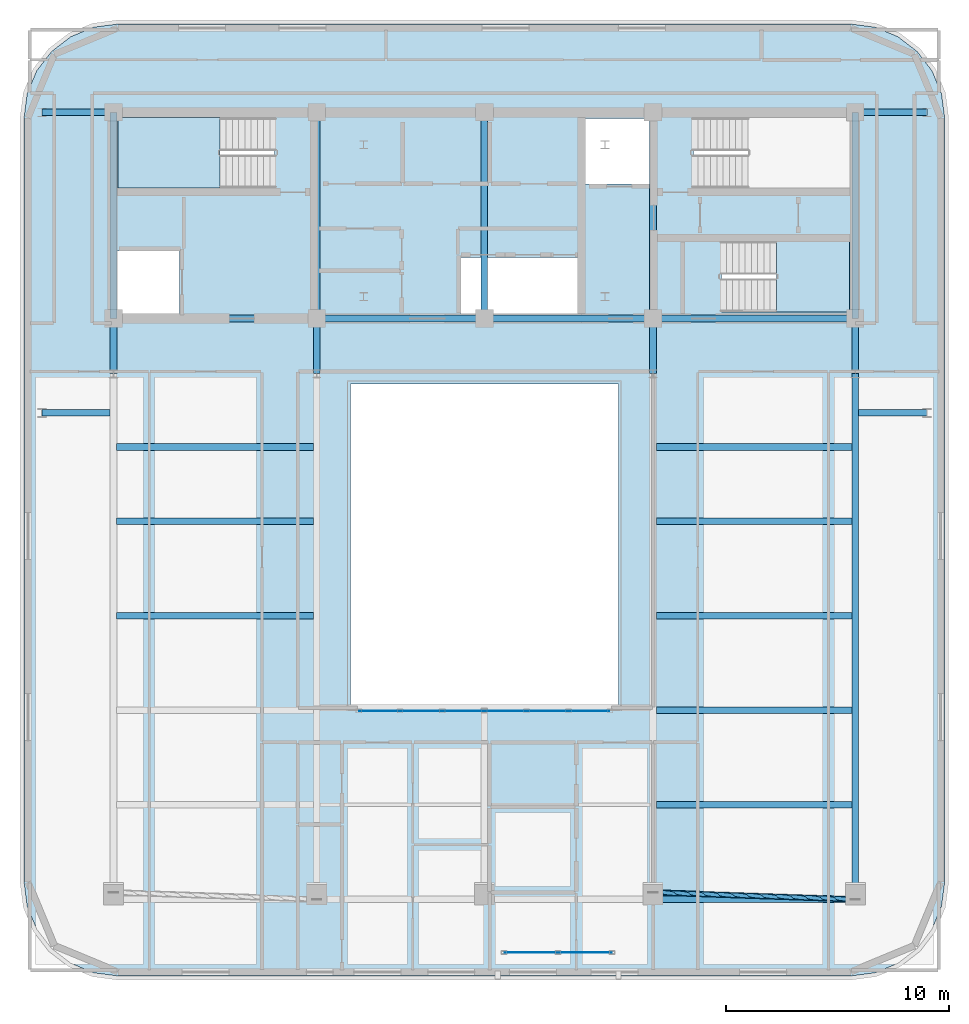
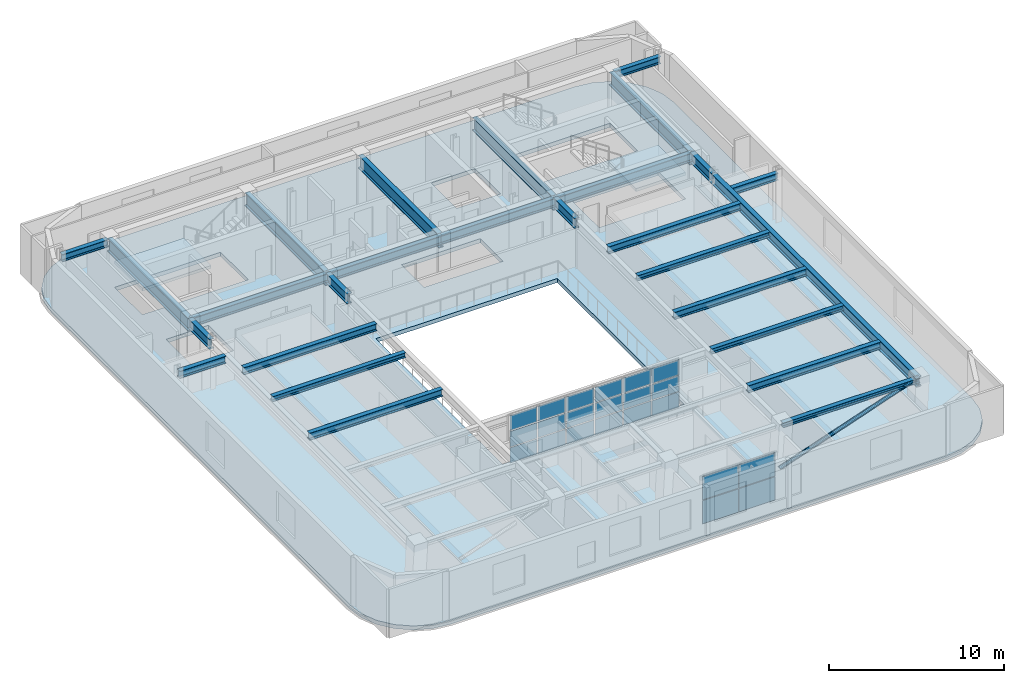
# One storey, part 3 of 12: 27 beams, 22 plates, 3 slabs, 1 member, 4 elements without a shape of their own.
"""IFC4 building model written with IfcOpenShell, lengths in metres."""

from ifc_helpers import new_model, si_unit, direction, frame, origin, origin_2d, place, context, subcontext, project, spatial, polyline, rectangle, hollow_circle, i_section, outline, extrude, material, layer, layer_set, material_profile, profile_set, type_object, element, aggregate, save


model = new_model("IFC4")

# Units and contexts
model_context = context("Model", 3, precision=1e-05, world=origin(), true_north=direction((0.0, 1.0)))
body_context = subcontext(model_context, "Body", "Model", "MODEL_VIEW")
ifc_project = project(units=[si_unit("LENGTHUNIT", "METRE"), si_unit("AREAUNIT", "SQUARE_METRE"), si_unit("VOLUMEUNIT", "CUBIC_METRE"), si_unit("PLANEANGLEUNIT", "RADIAN"), si_unit("MASSUNIT", "GRAM", prefix="KILO")], contexts=[model_context])

# Site, building, storey
site_placement = place(None, origin())
site = spatial("IfcSite", under=ifc_project, at=site_placement, CompositionType="ELEMENT")
building_placement = place(site_placement, origin())
building = spatial("IfcBuilding", under=site, at=building_placement, Name="Zarnavel Station Tower", CompositionType="ELEMENT")
storey_placement = place(building_placement, frame((0.0, 0.0, 265.800048828125)))
storey = spatial("IfcBuildingStorey", under=building, at=storey_placement, Name="L72", CompositionType="ELEMENT", Elevation=265.800048828125)

# Member
ifc_material_1 = material(Name="Steel S355J2", Category="steel")
ifc_material_profile_1 = material_profile(ifc_material_1, hollow_circle(Radius=0.122314453125, WallThickness=0.010009765625, at=origin_2d()), Name="CHS244.5x10")
ifc_profile_set_1 = profile_set([ifc_material_profile_1], Name="Steel S355J2")
member_type = type_object("IfcMemberType", Name="DB_EXT_CHS245", PredefinedType="BRACE", material=ifc_profile_set_1)
member_placement = place(storey_placement, frame((36.35009765625, 2.14111328125, 0.0), z_axis=(0.934954974808, -0.032007603945, 0.353319555603), x_axis=(0.034214336452, 0.999414518196, 0.0)))
element("IfcMember", 1, at=member_placement, inside=storey, type_object=member_type, Name="L72 Persian Exterior Diagonal Frame Brace 2", PredefinedType="BRACE", context=body_context, shape_type="SweptSolid", body=[
    extrude(hollow_circle(Radius=0.122314453125, WallThickness=0.010009765625, at=origin_2d()), origin(), (0.0, 0.0, 1.0), 9.679443359375),
])

# Beams
ifc_material_2 = material(Name="Steel S355J2", Category="steel")
ifc_material_profile_2 = material_profile(ifc_material_2, i_section(OverallWidth=0.300048828125, OverallDepth=0.320068359375, WebThickness=0.011474609375, FlangeThickness=0.0205078125, FilletRadius=0.027099609375, at=origin_2d()), Name="HEB320")
ifc_profile_set_2 = profile_set([ifc_material_profile_2], Name="Steel S355J2")
beam_type_1 = type_object("IfcBeamType", Name="EB_HEB320", PredefinedType="SPANDREL", material=ifc_profile_set_2)
beam_1_placement = place(storey_placement, frame((36.35009765625, 1.831298828125, 3.260009765625), z_axis=(1.0, 0.0, 0.0), x_axis=(0.0, 1.0, 0.0)))
element("IfcBeam", 2, at=beam_1_placement, inside=storey, type_object=beam_type_1, Name="L72 South Raked Spandrel 4", PredefinedType="SPANDREL", context=body_context, shape_type="SweptSolid", body=[
    extrude(i_section(OverallWidth=0.300048828125, OverallDepth=0.320068359375, WebThickness=0.011474609375, FlangeThickness=0.0205078125, FilletRadius=0.027099609375, at=origin_2d()), origin(), (0.0, 0.0, 1.0), 9.0498046875),
])
ifc_material_3 = material(Name="Steel S355J2", Category="steel")
ifc_material_profile_3 = material_profile(ifc_material_3, i_section(OverallWidth=0.300048828125, OverallDepth=0.35009765625, WebThickness=0.010009765625, FlangeThickness=0.017578125, FilletRadius=0.027099609375, at=origin_2d()), Name="HEA360")
ifc_profile_set_3 = profile_set([ifc_material_profile_3], Name="Steel S355J2")
beam_type_2 = type_object("IfcBeamType", Name="FB_HEA360", PredefinedType="BEAM", material=ifc_profile_set_3)
beam_2_placement = place(storey_placement, frame((36.4951171875, 10.28759765625, 3.244873046875), z_axis=(1.0, 0.0, 0.0), x_axis=(0.0, 1.0, 0.0)))
element("IfcBeam", 3, at=beam_2_placement, inside=storey, type_object=beam_type_2, Name="L72 East Bay Beam 2", PredefinedType="BEAM", context=body_context, shape_type="SweptSolid", body=[
    extrude(i_section(OverallWidth=0.300048828125, OverallDepth=0.35009765625, WebThickness=0.010009765625, FlangeThickness=0.017578125, FilletRadius=0.027099609375, at=origin_2d()), origin(), (0.0, 0.0, 1.0), 8.759765625),
])
beam_3_placement = place(storey_placement, frame((12.344970703125, 18.743896484375, 3.244873046875), z_axis=(1.0, 0.0, 0.0), x_axis=(0.0, 1.0, 0.0)))
element("IfcBeam", 4, at=beam_3_placement, inside=storey, type_object=beam_type_2, Name="L72 West Bay Beam 4", PredefinedType="BEAM", context=body_context, shape_type="SweptSolid", body=[
    extrude(i_section(OverallWidth=0.300048828125, OverallDepth=0.35009765625, WebThickness=0.010009765625, FlangeThickness=0.017578125, FilletRadius=0.027099609375, at=origin_2d()), origin(), (0.0, 0.0, 1.0), 8.81005859375),
])
beam_4_placement = place(storey_placement, frame((36.4951171875, 18.743896484375, 3.244873046875), z_axis=(1.0, 0.0, 0.0), x_axis=(0.0, 1.0, 0.0)))
element("IfcBeam", 5, at=beam_4_placement, inside=storey, type_object=beam_type_2, Name="L72 East Bay Beam 4", PredefinedType="BEAM", context=body_context, shape_type="SweptSolid", body=[
    extrude(i_section(OverallWidth=0.300048828125, OverallDepth=0.35009765625, WebThickness=0.010009765625, FlangeThickness=0.017578125, FilletRadius=0.027099609375, at=origin_2d()), origin(), (0.0, 0.0, 1.0), 8.759765625),
])
ifc_material_4 = material(Name="Steel S355J2", Category="steel")
ifc_material_profile_4 = material_profile(ifc_material_4, i_section(OverallWidth=0.300048828125, OverallDepth=0.489990234375, WebThickness=0.011962890625, FlangeThickness=0.02294921875, FilletRadius=0.027099609375, at=origin_2d()), Name="HEA500")
ifc_profile_set_4 = profile_set([ifc_material_profile_4], Name="Steel S355J2")
beam_type_3 = type_object("IfcBeamType", Name="FB_HEA500", PredefinedType="BEAM", material=ifc_profile_set_4)
beam_5_placement = place(storey_placement, frame((36.4951171875, 6.059326171875, 3.175048828125), z_axis=(1.0, 0.0, 0.0), x_axis=(0.0, 1.0, 0.0)))
element("IfcBeam", 6, at=beam_5_placement, inside=storey, type_object=beam_type_3, Name="L72 East Bay Beam 1", PredefinedType="BEAM", context=body_context, shape_type="SweptSolid", body=[
    extrude(i_section(OverallWidth=0.300048828125, OverallDepth=0.489990234375, WebThickness=0.011962890625, FlangeThickness=0.02294921875, FilletRadius=0.027099609375, at=origin_2d()), origin(), (0.0, 0.0, 1.0), 8.759765625),
])
beam_6_placement = place(storey_placement, frame((12.344970703125, 14.515625, 3.175048828125), z_axis=(1.0, 0.0, 0.0), x_axis=(0.0, 1.0, 0.0)))
element("IfcBeam", 7, at=beam_6_placement, inside=storey, type_object=beam_type_3, Name="L72 West Bay Beam 3", PredefinedType="BEAM", context=body_context, shape_type="SweptSolid", body=[
    extrude(i_section(OverallWidth=0.300048828125, OverallDepth=0.489990234375, WebThickness=0.011962890625, FlangeThickness=0.02294921875, FilletRadius=0.027099609375, at=origin_2d()), origin(), (0.0, 0.0, 1.0), 8.81005859375),
])
beam_7_placement = place(storey_placement, frame((36.4951171875, 14.515625, 3.175048828125), z_axis=(1.0, 0.0, 0.0), x_axis=(0.0, 1.0, 0.0)))
element("IfcBeam", 8, at=beam_7_placement, inside=storey, type_object=beam_type_3, Name="L72 East Bay Beam 3", PredefinedType="BEAM", context=body_context, shape_type="SweptSolid", body=[
    extrude(i_section(OverallWidth=0.300048828125, OverallDepth=0.489990234375, WebThickness=0.011962890625, FlangeThickness=0.02294921875, FilletRadius=0.027099609375, at=origin_2d()), origin(), (0.0, 0.0, 1.0), 8.759765625),
])
beam_8_placement = place(storey_placement, frame((12.344970703125, 22.072021484375, 3.175048828125), z_axis=(1.0, 0.0, 0.0), x_axis=(0.0, 1.0, 0.0)))
element("IfcBeam", 9, at=beam_8_placement, inside=storey, type_object=beam_type_3, Name="L72 West Bay Beam 5", PredefinedType="BEAM", context=body_context, shape_type="SweptSolid", body=[
    extrude(i_section(OverallWidth=0.300048828125, OverallDepth=0.489990234375, WebThickness=0.011962890625, FlangeThickness=0.02294921875, FilletRadius=0.027099609375, at=origin_2d()), origin(), (0.0, 0.0, 1.0), 8.81005859375),
])
beam_9_placement = place(storey_placement, frame((36.4951171875, 22.072021484375, 3.175048828125), z_axis=(1.0, 0.0, 0.0), x_axis=(0.0, 1.0, 0.0)))
element("IfcBeam", 10, at=beam_9_placement, inside=storey, type_object=beam_type_3, Name="L72 East Bay Beam 5", PredefinedType="BEAM", context=body_context, shape_type="SweptSolid", body=[
    extrude(i_section(OverallWidth=0.300048828125, OverallDepth=0.489990234375, WebThickness=0.011962890625, FlangeThickness=0.02294921875, FilletRadius=0.027099609375, at=origin_2d()), origin(), (0.0, 0.0, 1.0), 8.759765625),
])
ifc_material_5 = material(Name="Steel S355J2", Category="steel")
ifc_material_profile_5 = material_profile(ifc_material_5, i_section(OverallWidth=0.300048828125, OverallDepth=0.5, WebThickness=0.014404296875, FlangeThickness=0.028076171875, FilletRadius=0.027099609375, at=origin_2d()), Name="HEB500")
ifc_profile_set_5 = profile_set([ifc_material_profile_5], Name="Steel S355J2")
beam_type_4 = type_object("IfcBeamType", Name="FG_HEB500", PredefinedType="USERDEFINED", material=ifc_profile_set_5)
for number, where, z_axis, x_axis, name in (
    (11, (9.0, 23.60009765625, 3.169921875), (1.0, 0.0, 0.0), (0.0, 1.0, 0.0), "L72 West Wing South Tie 1"),
    (12, (9.0, 37.050048828125, 3.169921875), (1.0, 0.0, 0.0), (0.0, 1.0, 0.0), "L72 West Wing North Tie 1"),
):
    element("IfcBeam", number, at=place(storey_placement, frame(where, z_axis=z_axis, x_axis=x_axis)), inside=storey, type_object=beam_type_4, Name=name, ObjectType="GIRDER", PredefinedType="USERDEFINED", context=body_context, shape_type="SweptSolid", body=[
        extrude(i_section(OverallWidth=0.300048828125, OverallDepth=0.5, WebThickness=0.014404296875, FlangeThickness=0.028076171875, FilletRadius=0.027099609375, at=origin_2d()), origin(), (0.0, 0.0, 1.0), 3.054931640625),
    ])
for number, where, z_axis, x_axis, name in (
    (13, (45.544921875, 23.60009765625, 3.169921875), (1.0, 0.0, 0.0), (0.0, 1.0, 0.0), "L72 East Wing South Tie 1"),
    (14, (45.544921875, 37.050048828125, 3.169921875), (1.0, 0.0, 0.0), (0.0, 1.0, 0.0), "L72 East Wing North Tie 1"),
):
    element("IfcBeam", number, at=place(storey_placement, frame(where, z_axis=z_axis, x_axis=x_axis)), inside=storey, type_object=beam_type_4, Name=name, ObjectType="GIRDER", PredefinedType="USERDEFINED", context=body_context, shape_type="SweptSolid", body=[
        extrude(i_section(OverallWidth=0.300048828125, OverallDepth=0.5, WebThickness=0.014404296875, FlangeThickness=0.028076171875, FilletRadius=0.027099609375, at=origin_2d()), origin(), (0.0, 0.0, 1.0), 3.05517578125),
    ])
ifc_material_6 = material(Name="Steel S355J2", Category="steel")
ifc_material_profile_6 = material_profile(ifc_material_6, i_section(OverallWidth=0.300048828125, OverallDepth=0.60009765625, WebThickness=0.015380859375, FlangeThickness=0.030029296875, FilletRadius=0.027099609375, at=origin_2d()), Name="HEB600")
ifc_profile_set_6 = profile_set([ifc_material_profile_6], Name="Steel S355J2")
beam_type_5 = type_object("IfcBeamType", Name="FG_HEB600", PredefinedType="USERDEFINED", material=ifc_profile_set_6)
beam_10_placement = place(storey_placement, frame((12.199951171875, 27.820068359375, 3.119873046875), z_axis=(1.0, 0.0, 0.0), x_axis=(0.0, 1.0, 0.0)))
element("IfcBeam", 15, at=beam_10_placement, inside=storey, type_object=beam_type_5, Name="L72 Core Front Coupling Beam 1", ObjectType="GIRDER", PredefinedType="USERDEFINED", context=body_context, shape_type="SweptSolid", body=[
    extrude(i_section(OverallWidth=0.300048828125, OverallDepth=0.60009765625, WebThickness=0.015380859375, FlangeThickness=0.030029296875, FilletRadius=0.027099609375, at=origin_2d()), origin(), (0.0, 0.0, 1.0), 9.10009765625),
])
beam_11_placement = place(storey_placement, frame((21.300048828125, 27.820068359375, 3.119873046875), z_axis=(1.0, 0.0, 0.0), x_axis=(0.0, 1.0, 0.0)))
element("IfcBeam", 16, at=beam_11_placement, inside=storey, type_object=beam_type_5, Name="L72 Core Front Coupling Beam 2", ObjectType="GIRDER", PredefinedType="USERDEFINED", context=body_context, shape_type="SweptSolid", body=[
    extrude(i_section(OverallWidth=0.300048828125, OverallDepth=0.60009765625, WebThickness=0.015380859375, FlangeThickness=0.030029296875, FilletRadius=0.027099609375, at=origin_2d()), origin(), (0.0, 0.0, 1.0), 7.5),
])
beam_12_placement = place(storey_placement, frame((28.800048828125, 27.820068359375, 3.119873046875), z_axis=(1.0, 0.0, 0.0), x_axis=(0.0, 1.0, 0.0)))
element("IfcBeam", 17, at=beam_12_placement, inside=storey, type_object=beam_type_5, Name="L72 Core Front Coupling Beam 3", ObjectType="GIRDER", PredefinedType="USERDEFINED", context=body_context, shape_type="SweptSolid", body=[
    extrude(i_section(OverallWidth=0.300048828125, OverallDepth=0.60009765625, WebThickness=0.015380859375, FlangeThickness=0.030029296875, FilletRadius=0.027099609375, at=origin_2d()), origin(), (0.0, 0.0, 1.0), 7.550048828125),
])
beam_13_placement = place(storey_placement, frame((36.35009765625, 27.820068359375, 3.119873046875), z_axis=(1.0, 0.0, 0.0), x_axis=(0.0, 1.0, 0.0)))
element("IfcBeam", 18, at=beam_13_placement, inside=storey, type_object=beam_type_5, Name="L72 Core Front Coupling Beam 4", ObjectType="GIRDER", PredefinedType="USERDEFINED", context=body_context, shape_type="SweptSolid", body=[
    extrude(i_section(OverallWidth=0.300048828125, OverallDepth=0.60009765625, WebThickness=0.015380859375, FlangeThickness=0.030029296875, FilletRadius=0.027099609375, at=origin_2d()), origin(), (0.0, 0.0, 1.0), 9.0498046875),
])
ifc_material_7 = material(Name="Steel S355J2", Category="steel")
ifc_material_profile_7 = material_profile(ifc_material_7, i_section(OverallWidth=0.300048828125, OverallDepth=0.699951171875, WebThickness=0.01708984375, FlangeThickness=0.031982421875, FilletRadius=0.027099609375, at=origin_2d()), Name="HEB700")
ifc_profile_set_7 = profile_set([ifc_material_profile_7], Name="Steel S355J2")
beam_type_6 = type_object("IfcBeamType", Name="FG_HEB700", PredefinedType="USERDEFINED", material=ifc_profile_set_7)
for number, where, z_axis, x_axis, name in (
    (19, (12.199951171875, 25.35009765625, 3.070068359375), (0.0, 1.0, 0.0), (-1.0, 0.0, 0.0), "L72 Inner-Zone NS Girder 1"),
    (20, (21.300048828125, 25.35009765625, 3.070068359375), (0.0, 1.0, 0.0), (-1.0, 0.0, 0.0), "L72 Inner-Zone NS Girder 2"),
    (21, (36.35009765625, 25.35009765625, 3.070068359375), (0.0, 1.0, 0.0), (-1.0, 0.0, 0.0), "L72 Inner-Zone NS Girder 4"),
):
    element("IfcBeam", number, at=place(storey_placement, frame(where, z_axis=z_axis, x_axis=x_axis)), inside=storey, type_object=beam_type_6, Name=name, ObjectType="GIRDER", PredefinedType="USERDEFINED", context=body_context, shape_type="SweptSolid", body=[
        extrude(i_section(OverallWidth=0.300048828125, OverallDepth=0.699951171875, WebThickness=0.01708984375, FlangeThickness=0.031982421875, FilletRadius=0.027099609375, at=origin_2d()), origin(), (0.0, 0.0, 1.0), 2.469970703125),
    ])
beam_14_placement = place(storey_placement, frame((45.39990234375, 1.831298828125, 3.070068359375), z_axis=(0.0, 1.0, 0.0), x_axis=(-1.0, 0.0, 0.0)))
element("IfcBeam", 22, at=beam_14_placement, inside=storey, type_object=beam_type_6, Name="L72 South-Zone NS Girder 5", ObjectType="GIRDER", PredefinedType="USERDEFINED", context=body_context, shape_type="SweptSolid", body=[
    extrude(i_section(OverallWidth=0.300048828125, OverallDepth=0.699951171875, WebThickness=0.01708984375, FlangeThickness=0.031982421875, FilletRadius=0.027099609375, at=origin_2d()), origin(), (0.0, 0.0, 1.0), 23.518798828125),
])
beam_15_placement = place(storey_placement, frame((45.39990234375, 25.35009765625, 3.070068359375), z_axis=(0.0, 1.0, 0.0), x_axis=(-1.0, 0.0, 0.0)))
element("IfcBeam", 23, at=beam_15_placement, inside=storey, type_object=beam_type_6, Name="L72 Inner-Zone NS Girder 5", ObjectType="GIRDER", PredefinedType="USERDEFINED", context=body_context, shape_type="SweptSolid", body=[
    extrude(i_section(OverallWidth=0.300048828125, OverallDepth=0.699951171875, WebThickness=0.01708984375, FlangeThickness=0.031982421875, FilletRadius=0.027099609375, at=origin_2d()), origin(), (0.0, 0.0, 1.0), 2.469970703125),
])
ifc_material_8 = material(Name="Steel S460M", Category="steel")
ifc_material_profile_8 = material_profile(ifc_material_8, i_section(OverallWidth=0.302001953125, OverallDepth=0.909912109375, WebThickness=0.02099609375, FlangeThickness=0.0400390625, FilletRadius=0.030029296875, at=origin_2d()), Name="HEM900")
ifc_profile_set_8 = profile_set([ifc_material_profile_8], Name="Steel S460M")
beam_type_7 = type_object("IfcBeamType", Name="TG_HEM900", PredefinedType="USERDEFINED", material=ifc_profile_set_8)
for number, where, z_axis, x_axis, name in (
    (24, (12.199951171875, 27.820068359375, 2.96484375), (0.0, 1.0, 0.0), (-1.0, 0.0, 0.0), "L72 Core Spine Coupling Girder 1"),
    (25, (21.300048828125, 27.820068359375, 2.96484375), (0.0, 1.0, 0.0), (-1.0, 0.0, 0.0), "L72 Core Spine Coupling Girder 2"),
    (26, (28.800048828125, 27.820068359375, 2.96484375), (0.0, 1.0, 0.0), (-1.0, 0.0, 0.0), "L72 Core Spine Coupling Girder 3"),
    (27, (36.35009765625, 27.820068359375, 2.96484375), (0.0, 1.0, 0.0), (-1.0, 0.0, 0.0), "L72 Core Spine Coupling Girder 4"),
    (28, (45.39990234375, 27.820068359375, 2.96484375), (0.0, 1.0, 0.0), (-1.0, 0.0, 0.0), "L72 Core Spine Coupling Girder 5"),
):
    element("IfcBeam", number, at=place(storey_placement, frame(where, z_axis=z_axis, x_axis=x_axis)), inside=storey, type_object=beam_type_7, Name=name, ObjectType="GIRDER", PredefinedType="USERDEFINED", context=body_context, shape_type="SweptSolid", body=[
        extrude(i_section(OverallWidth=0.302001953125, OverallDepth=0.909912109375, WebThickness=0.02099609375, FlangeThickness=0.0400390625, FilletRadius=0.030029296875, at=origin_2d()), origin(), (0.0, 0.0, 1.0), 9.22998046875),
    ])

# Curtain wall, plates
ifc_material_9 = material(Name="Aluminium Dark Anodised and Solar-Control Glass", Category="aluminium")
ifc_layer_1 = layer(ifc_material_9, 0.179931640625)
ifc_layer_set_1 = layer_set([ifc_layer_1], Name="CWS6")
curtain_wall_type = type_object("IfcCurtainWallType", Name="CWS6", PredefinedType="NOTDEFINED", material=ifc_layer_set_1)
curtain_wall_1_placement = place(storey_placement, origin())
curtain_wall_1 = element("IfcCurtainWall", 29, at=curtain_wall_1_placement, inside=storey, type_object=curtain_wall_type, Name="L72 Curtain Wall CWS6-LOG-L72", PredefinedType="NOTDEFINED")
ifc_material_10 = material(Name="Double Low-E Dark Solar-Control Glass", Category="glass")
ifc_layer_2 = layer(ifc_material_10, 0.0380859375)
ifc_layer_set_2 = layer_set([ifc_layer_2], Name="CWS6_PNL")
plate_type = type_object("IfcPlateType", Name="CWS6_PNL", PredefinedType="CURTAIN_PANEL", material=ifc_layer_set_2)
plate_1_placement = place(storey_placement, frame((30.889892578125, -0.550048828125, 0.059814453125), z_axis=(0.0, 0.0, 1.0), x_axis=(1.0, 0.0, 0.0)))
plate_1 = element("IfcPlate", 30, at=plate_1_placement, type_object=plate_type, Name="CW6 panel 1.1", PredefinedType="CURTAIN_PANEL", context=body_context, shape_type="SweptSolid", body=[
    extrude(rectangle(XDim=2.360107421875, YDim=0.028076171875, at=origin_2d()), origin(), (0.0, 0.0, 1.0), 1.6201171875),
])
plate_2_placement = place(storey_placement, frame((30.889892578125, -0.550048828125, 1.739990234375), z_axis=(0.0, 0.0, 1.0), x_axis=(1.0, 0.0, 0.0)))
plate_2 = element("IfcPlate", 31, at=plate_2_placement, type_object=plate_type, Name="CW6 panel 1.2", PredefinedType="CURTAIN_PANEL", context=body_context, shape_type="SweptSolid", body=[
    extrude(rectangle(XDim=2.360107421875, YDim=0.028076171875, at=origin_2d()), origin(), (0.0, 0.0, 1.0), 1.6201171875),
])
plate_3_placement = place(storey_placement, frame((33.31005859375, -0.550048828125, 0.059814453125), z_axis=(0.0, 0.0, 1.0), x_axis=(1.0, 0.0, 0.0)))
plate_3 = element("IfcPlate", 32, at=plate_3_placement, type_object=plate_type, Name="CW6 panel 2.1", PredefinedType="CURTAIN_PANEL", context=body_context, shape_type="SweptSolid", body=[
    extrude(rectangle(XDim=2.360107421875, YDim=0.028076171875, at=origin_2d()), origin(), (0.0, 0.0, 1.0), 1.6201171875),
])
plate_4_placement = place(storey_placement, frame((33.31005859375, -0.550048828125, 1.739990234375), z_axis=(0.0, 0.0, 1.0), x_axis=(1.0, 0.0, 0.0)))
plate_4 = element("IfcPlate", 33, at=plate_4_placement, type_object=plate_type, Name="CW6 panel 2.2", PredefinedType="CURTAIN_PANEL", context=body_context, shape_type="SweptSolid", body=[
    extrude(rectangle(XDim=2.360107421875, YDim=0.028076171875, at=origin_2d()), origin(), (0.0, 0.0, 1.0), 1.6201171875),
])
aggregate(curtain_wall_1, [plate_1, plate_2, plate_3, plate_4])

curtain_wall_2_placement = place(storey_placement, origin())
curtain_wall_2 = element("IfcCurtainWall", 34, at=curtain_wall_2_placement, inside=storey, type_object=curtain_wall_type, Name="L72 Curtain Wall CWS6-L72-AS", PredefinedType="NOTDEFINED")
plate_5_placement = place(storey_placement, frame((24.106689453125, 10.25, 0.06005859375), z_axis=(0.0, 0.0, 1.0), x_axis=(1.0, 0.0, 0.0)))
plate_5 = element("IfcPlate", 35, at=plate_5_placement, type_object=plate_type, Name="CW6 panel 1.1", PredefinedType="CURTAIN_PANEL", context=body_context, shape_type="SweptSolid", body=[
    extrude(rectangle(XDim=1.793212890625, YDim=0.028076171875, at=origin_2d()), origin(), (0.0, 0.0, 1.0), 1.050048828125),
])
plate_6_placement = place(storey_placement, frame((24.106689453125, 10.25, 1.169921875), z_axis=(0.0, 0.0, 1.0), x_axis=(1.0, 0.0, 0.0)))
plate_6 = element("IfcPlate", 36, at=plate_6_placement, type_object=plate_type, Name="CW6 panel 1.2", PredefinedType="CURTAIN_PANEL", context=body_context, shape_type="SweptSolid", body=[
    extrude(rectangle(XDim=1.793212890625, YDim=0.028076171875, at=origin_2d()), origin(), (0.0, 0.0, 1.0), 1.080078125),
])
plate_7_placement = place(storey_placement, frame((24.106689453125, 10.25, 2.31005859375), z_axis=(0.0, 0.0, 1.0), x_axis=(1.0, 0.0, 0.0)))
plate_7 = element("IfcPlate", 37, at=plate_7_placement, type_object=plate_type, Name="CW6 panel 1.3", PredefinedType="CURTAIN_PANEL", context=body_context, shape_type="SweptSolid", body=[
    extrude(rectangle(XDim=1.793212890625, YDim=0.028076171875, at=origin_2d()), origin(), (0.0, 0.0, 1.0), 1.050048828125),
])
plate_8_placement = place(storey_placement, frame((25.97509765625, 10.25, 0.06005859375), z_axis=(0.0, 0.0, 1.0), x_axis=(1.0, 0.0, 0.0)))
plate_8 = element("IfcPlate", 38, at=plate_8_placement, type_object=plate_type, Name="CW6 panel 2.1", PredefinedType="CURTAIN_PANEL", context=body_context, shape_type="SweptSolid", body=[
    extrude(rectangle(XDim=1.8232421875, YDim=0.028076171875, at=origin_2d()), origin(), (0.0, 0.0, 1.0), 1.050048828125),
])
plate_9_placement = place(storey_placement, frame((25.97509765625, 10.25, 1.169921875), z_axis=(0.0, 0.0, 1.0), x_axis=(1.0, 0.0, 0.0)))
plate_9 = element("IfcPlate", 39, at=plate_9_placement, type_object=plate_type, Name="CW6 panel 2.2", PredefinedType="CURTAIN_PANEL", context=body_context, shape_type="SweptSolid", body=[
    extrude(rectangle(XDim=1.8232421875, YDim=0.028076171875, at=origin_2d()), origin(), (0.0, 0.0, 1.0), 1.080078125),
])
plate_10_placement = place(storey_placement, frame((25.97509765625, 10.25, 2.31005859375), z_axis=(0.0, 0.0, 1.0), x_axis=(1.0, 0.0, 0.0)))
plate_10 = element("IfcPlate", 40, at=plate_10_placement, type_object=plate_type, Name="CW6 panel 2.3", PredefinedType="CURTAIN_PANEL", context=body_context, shape_type="SweptSolid", body=[
    extrude(rectangle(XDim=1.8232421875, YDim=0.028076171875, at=origin_2d()), origin(), (0.0, 0.0, 1.0), 1.050048828125),
])
plate_11_placement = place(storey_placement, frame((27.8583984375, 10.25, 0.06005859375), z_axis=(0.0, 0.0, 1.0), x_axis=(1.0, 0.0, 0.0)))
plate_11 = element("IfcPlate", 41, at=plate_11_placement, type_object=plate_type, Name="CW6 panel 3.1", PredefinedType="CURTAIN_PANEL", context=body_context, shape_type="SweptSolid", body=[
    extrude(rectangle(XDim=1.8232421875, YDim=0.028076171875, at=origin_2d()), origin(), (0.0, 0.0, 1.0), 1.050048828125),
])
plate_12_placement = place(storey_placement, frame((27.8583984375, 10.25, 1.169921875), z_axis=(0.0, 0.0, 1.0), x_axis=(1.0, 0.0, 0.0)))
plate_12 = element("IfcPlate", 42, at=plate_12_placement, type_object=plate_type, Name="CW6 panel 3.2", PredefinedType="CURTAIN_PANEL", context=body_context, shape_type="SweptSolid", body=[
    extrude(rectangle(XDim=1.8232421875, YDim=0.028076171875, at=origin_2d()), origin(), (0.0, 0.0, 1.0), 1.080078125),
])
plate_13_placement = place(storey_placement, frame((27.8583984375, 10.25, 2.31005859375), z_axis=(0.0, 0.0, 1.0), x_axis=(1.0, 0.0, 0.0)))
plate_13 = element("IfcPlate", 43, at=plate_13_placement, type_object=plate_type, Name="CW6 panel 3.3", PredefinedType="CURTAIN_PANEL", context=body_context, shape_type="SweptSolid", body=[
    extrude(rectangle(XDim=1.8232421875, YDim=0.028076171875, at=origin_2d()), origin(), (0.0, 0.0, 1.0), 1.050048828125),
])
plate_14_placement = place(storey_placement, frame((29.74169921875, 10.25, 0.06005859375), z_axis=(0.0, 0.0, 1.0), x_axis=(1.0, 0.0, 0.0)))
plate_14 = element("IfcPlate", 44, at=plate_14_placement, type_object=plate_type, Name="CW6 panel 4.1", PredefinedType="CURTAIN_PANEL", context=body_context, shape_type="SweptSolid", body=[
    extrude(rectangle(XDim=1.8232421875, YDim=0.028076171875, at=origin_2d()), origin(), (0.0, 0.0, 1.0), 1.050048828125),
])
plate_15_placement = place(storey_placement, frame((29.74169921875, 10.25, 1.169921875), z_axis=(0.0, 0.0, 1.0), x_axis=(1.0, 0.0, 0.0)))
plate_15 = element("IfcPlate", 45, at=plate_15_placement, type_object=plate_type, Name="CW6 panel 4.2", PredefinedType="CURTAIN_PANEL", context=body_context, shape_type="SweptSolid", body=[
    extrude(rectangle(XDim=1.8232421875, YDim=0.028076171875, at=origin_2d()), origin(), (0.0, 0.0, 1.0), 1.080078125),
])
plate_16_placement = place(storey_placement, frame((29.74169921875, 10.25, 2.31005859375), z_axis=(0.0, 0.0, 1.0), x_axis=(1.0, 0.0, 0.0)))
plate_16 = element("IfcPlate", 46, at=plate_16_placement, type_object=plate_type, Name="CW6 panel 4.3", PredefinedType="CURTAIN_PANEL", context=body_context, shape_type="SweptSolid", body=[
    extrude(rectangle(XDim=1.8232421875, YDim=0.028076171875, at=origin_2d()), origin(), (0.0, 0.0, 1.0), 1.050048828125),
])
plate_17_placement = place(storey_placement, frame((31.625, 10.25, 0.06005859375), z_axis=(0.0, 0.0, 1.0), x_axis=(1.0, 0.0, 0.0)))
plate_17 = element("IfcPlate", 47, at=plate_17_placement, type_object=plate_type, Name="CW6 panel 5.1", PredefinedType="CURTAIN_PANEL", context=body_context, shape_type="SweptSolid", body=[
    extrude(rectangle(XDim=1.8232421875, YDim=0.028076171875, at=origin_2d()), origin(), (0.0, 0.0, 1.0), 1.050048828125),
])
plate_18_placement = place(storey_placement, frame((31.625, 10.25, 1.169921875), z_axis=(0.0, 0.0, 1.0), x_axis=(1.0, 0.0, 0.0)))
plate_18 = element("IfcPlate", 48, at=plate_18_placement, type_object=plate_type, Name="CW6 panel 5.2", PredefinedType="CURTAIN_PANEL", context=body_context, shape_type="SweptSolid", body=[
    extrude(rectangle(XDim=1.8232421875, YDim=0.028076171875, at=origin_2d()), origin(), (0.0, 0.0, 1.0), 1.080078125),
])
plate_19_placement = place(storey_placement, frame((31.625, 10.25, 2.31005859375), z_axis=(0.0, 0.0, 1.0), x_axis=(1.0, 0.0, 0.0)))
plate_19 = element("IfcPlate", 49, at=plate_19_placement, type_object=plate_type, Name="CW6 panel 5.3", PredefinedType="CURTAIN_PANEL", context=body_context, shape_type="SweptSolid", body=[
    extrude(rectangle(XDim=1.8232421875, YDim=0.028076171875, at=origin_2d()), origin(), (0.0, 0.0, 1.0), 1.050048828125),
])
plate_20_placement = place(storey_placement, frame((33.493408203125, 10.25, 0.06005859375), z_axis=(0.0, 0.0, 1.0), x_axis=(1.0, 0.0, 0.0)))
plate_20 = element("IfcPlate", 50, at=plate_20_placement, type_object=plate_type, Name="CW6 panel 6.1", PredefinedType="CURTAIN_PANEL", context=body_context, shape_type="SweptSolid", body=[
    extrude(rectangle(XDim=1.793212890625, YDim=0.028076171875, at=origin_2d()), origin(), (0.0, 0.0, 1.0), 1.050048828125),
])
plate_21_placement = place(storey_placement, frame((33.493408203125, 10.25, 1.169921875), z_axis=(0.0, 0.0, 1.0), x_axis=(1.0, 0.0, 0.0)))
plate_21 = element("IfcPlate", 51, at=plate_21_placement, type_object=plate_type, Name="CW6 panel 6.2", PredefinedType="CURTAIN_PANEL", context=body_context, shape_type="SweptSolid", body=[
    extrude(rectangle(XDim=1.793212890625, YDim=0.028076171875, at=origin_2d()), origin(), (0.0, 0.0, 1.0), 1.080078125),
])
plate_22_placement = place(storey_placement, frame((33.493408203125, 10.25, 2.31005859375), z_axis=(0.0, 0.0, 1.0), x_axis=(1.0, 0.0, 0.0)))
plate_22 = element("IfcPlate", 52, at=plate_22_placement, type_object=plate_type, Name="CW6 panel 6.3", PredefinedType="CURTAIN_PANEL", context=body_context, shape_type="SweptSolid", body=[
    extrude(rectangle(XDim=1.793212890625, YDim=0.028076171875, at=origin_2d()), origin(), (0.0, 0.0, 1.0), 1.050048828125),
])
aggregate(curtain_wall_2, [plate_5, plate_6, plate_7, plate_8, plate_9, plate_10, plate_11, plate_12, plate_13, plate_14, plate_15, plate_16, plate_17, plate_18, plate_19, plate_20, plate_21, plate_22])

# Slab
ifc_material_11 = material(Name="Concrete C45/55", Category="concrete")
ifc_layer_3 = layer(ifc_material_11, 0.280029296875)
ifc_layer_set_3 = layer_set([ifc_layer_3], Name="SL_FLR_280")
slab_type_1 = type_object("IfcSlabType", Name="SL_FLR_280", PredefinedType="FLOOR", material=ifc_layer_set_3)
slab_1_placement = place(storey_placement, frame((0.0, 0.0, -0.280029296875)))
element("IfcSlab", 53, at=slab_1_placement, inside=storey, type_object=slab_type_1, Name="L72 Structural Floor Slab", PredefinedType="FLOOR", context=body_context, shape_type="SweptSolid", body=[
    extrude(outline(polyline([(45.199951171875, -1.60009765625), (46.287109375, -1.456787109375), (47.300048828125, -1.037353515625), (48.169921875, -0.369873046875), (48.83740234375, 0.5), (49.2568359375, 1.512939453125), (49.39990234375, 2.60009765625), (49.39990234375, 36.800048828125), (49.2568359375, 37.886962890625), (48.83740234375, 38.89990234375), (48.169921875, 39.769775390625), (47.300048828125, 40.437255859375), (46.287109375, 40.85693359375), (45.199951171875, 41.0), (12.39990234375, 41.0), (11.31298828125, 40.85693359375), (10.300048828125, 40.437255859375), (9.43017578125, 39.769775390625), (8.7626953125, 38.89990234375), (8.343017578125, 37.886962890625), (8.199951171875, 36.800048828125), (8.199951171875, 2.60009765625), (8.343017578125, 1.512939453125), (8.7626953125, 0.5), (9.43017578125, -0.369873046875), (10.300048828125, -1.037353515625), (11.31298828125, -1.456787109375), (12.39990234375, -1.60009765625), (45.199951171875, -1.60009765625)]), holes=[polyline([(12.39990234375, 33.659912109375), (19.409912109375, 33.659912109375), (19.409912109375, 36.820068359375), (12.39990234375, 36.820068359375), (12.39990234375, 33.659912109375)]), polyline([(38.14990234375, 33.659912109375), (45.159912109375, 33.659912109375), (45.159912109375, 36.820068359375), (38.14990234375, 36.820068359375), (38.14990234375, 33.659912109375)]), polyline([(39.419921875, 28.1201171875), (45.14990234375, 28.1201171875), (45.14990234375, 31.280029296875), (39.419921875, 31.280029296875), (39.419921875, 28.1201171875)]), polyline([(12.35009765625, 27.949951171875), (15.14990234375, 27.949951171875), (15.14990234375, 30.85009765625), (12.35009765625, 30.85009765625), (12.35009765625, 27.949951171875)]), polyline([(33.320068359375, 33.85009765625), (36.2099609375, 33.85009765625), (36.2099609375, 36.780029296875), (33.320068359375, 36.780029296875), (33.320068359375, 33.85009765625)]), polyline([(27.75, 27.949951171875), (32.97998046875, 27.949951171875), (32.97998046875, 30.550048828125), (27.75, 30.550048828125), (27.75, 27.949951171875)]), polyline([(22.800048828125, 10.39990234375), (34.800048828125, 10.39990234375), (34.800048828125, 24.89990234375), (22.800048828125, 24.89990234375), (22.800048828125, 10.39990234375)])]), origin(), (0.0, 0.0, 1.0), 0.280029296875),
])

# Stair, slab
ifc_material_12 = material(Name="Concrete C45/55", Category="concrete")
stair_type = type_object("IfcStairType", Name="ST_CORE_150", PredefinedType="HALF_TURN_STAIR", material=ifc_material_12)
stair_1_placement = place(storey_placement, origin())
stair_1 = element("IfcStair", 54, at=stair_1_placement, inside=storey, type_object=stair_type, Name="L72 Core Exit Stair ST1", PredefinedType="HALF_TURN_STAIR")
ifc_material_13 = material(Name="Concrete C45/55", Category="concrete")
ifc_layer_4 = layer(ifc_material_13, 0.199951171875)
ifc_layer_set_4 = layer_set([ifc_layer_4], Name="SL_STAIR_LAND_200")
slab_type_2 = type_object("IfcSlabType", Name="SL_STAIR_LAND_200", PredefinedType="LANDING", material=ifc_layer_set_4)
slab_2_placement = place(storey_placement, frame((0.0, 0.0, 1.64990234375)))
slab_2 = element("IfcSlab", 55, at=slab_2_placement, type_object=slab_type_2, Name="ST1 landing 1", PredefinedType="LANDING", context=body_context, shape_type="SweptSolid", body=[
    extrude(outline(polyline([(16.9599609375, 36.820068359375), (12.39990234375, 36.820068359375), (12.39990234375, 33.659912109375), (16.9599609375, 33.659912109375), (16.9599609375, 36.820068359375)])), origin(), (0.0, 0.0, 1.0), 0.199951171875),
])
aggregate(stair_1, [slab_2])

stair_2_placement = place(storey_placement, origin())
stair_2 = element("IfcStair", 56, at=stair_2_placement, inside=storey, type_object=stair_type, Name="L72 Core Exit Stair ST3", PredefinedType="HALF_TURN_STAIR")
slab_3_placement = place(storey_placement, frame((0.0, 0.0, 1.64990234375)))
slab_3 = element("IfcSlab", 57, at=slab_3_placement, type_object=slab_type_2, Name="ST3 landing 1", PredefinedType="LANDING", context=body_context, shape_type="SweptSolid", body=[
    extrude(outline(polyline([(41.8701171875, 28.1201171875), (45.14990234375, 28.1201171875), (45.14990234375, 31.280029296875), (41.8701171875, 31.280029296875), (41.8701171875, 28.1201171875)])), origin(), (0.0, 0.0, 1.0), 0.199951171875),
])
aggregate(stair_2, [slab_3])

save(model, "model.ifc")
